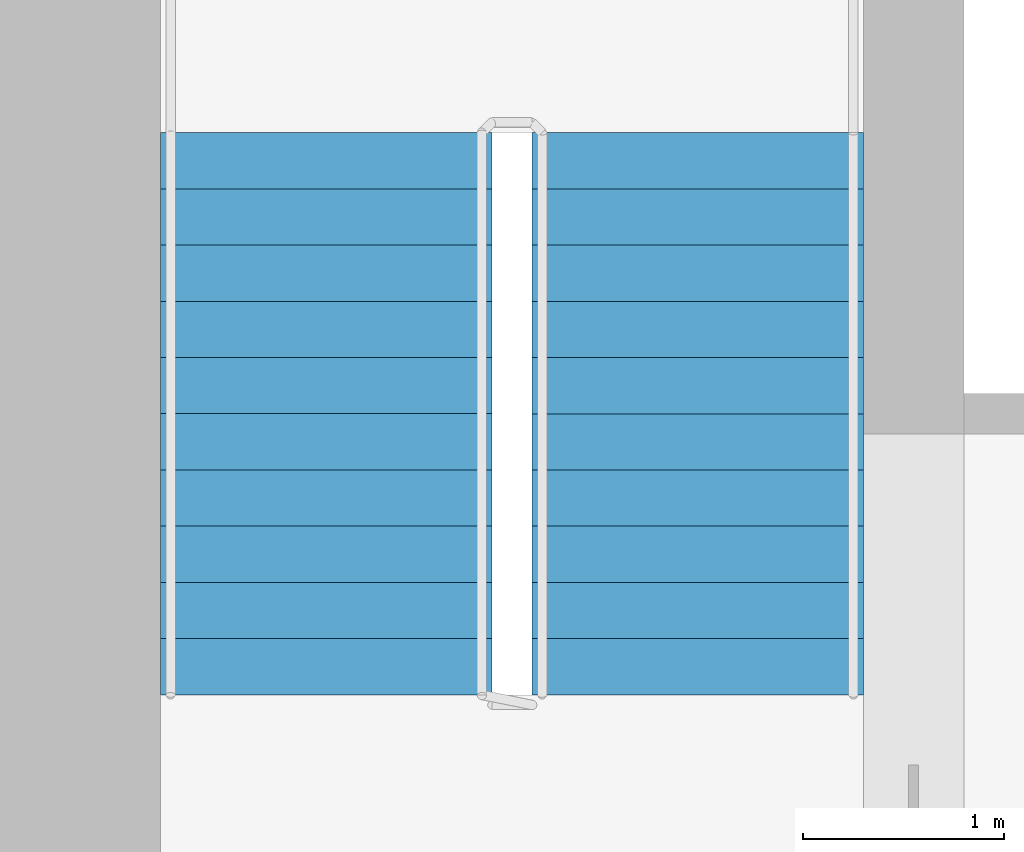
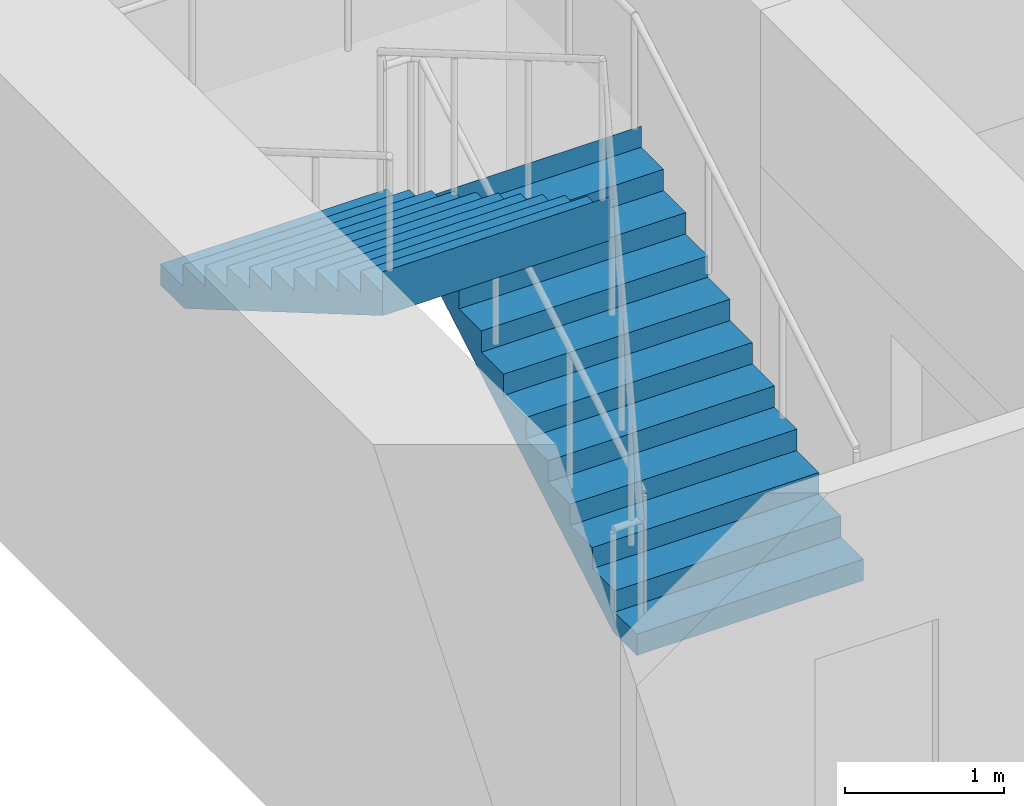
# One storey, part 13 of 14: 2 stair flights, 1 element without a shape of its own.
"""IFC4 building model written with IfcOpenShell, lengths in metres."""

from ifc_helpers import new_model, si_unit, direction, frame, origin, place, context, subcontext, project, spatial, polyline, outline, extrude, material, type_object, element, aggregate, save


model = new_model("IFC4")

# Units and contexts
model_context = context("Model", 3, precision=1e-05, world=origin(), true_north=direction((0.0, 1.0)))
body_context = subcontext(model_context, "Body", "Model", "MODEL_VIEW")
ifc_project = project(units=[si_unit("LENGTHUNIT", "METRE"), si_unit("AREAUNIT", "SQUARE_METRE"), si_unit("VOLUMEUNIT", "CUBIC_METRE"), si_unit("PLANEANGLEUNIT", "RADIAN"), si_unit("MASSUNIT", "GRAM", prefix="KILO")], contexts=[model_context])

# Site, building, storey
site_placement = place(None, origin())
site = spatial("IfcSite", under=ifc_project, at=site_placement, CompositionType="ELEMENT")
building_placement = place(site_placement, origin())
building = spatial("IfcBuilding", under=site, at=building_placement, Name="Tamorin Gate", CompositionType="ELEMENT")
storey_placement = place(building_placement, frame((0.0, 0.0, 44.800048828125)))
storey = spatial("IfcBuildingStorey", under=building, at=storey_placement, Name="L09", CompositionType="ELEMENT", Elevation=44.800048828125)

# Stair, stair flights
ifc_material = material(Name="Concrete C40/50", Category="concrete")
stair_type = type_object("IfcStairType", Name="Exit stair", PredefinedType="HALF_TURN_STAIR", material=ifc_material)
stair_placement = place(storey_placement, origin())
stair = element("IfcStair", 1, at=stair_placement, inside=storey, type_object=stair_type, Name="L09 stair ST2", PredefinedType="HALF_TURN_STAIR")
stair_flight_type = type_object("IfcStairFlightType", Name="Exit stair flight", PredefinedType="STRAIGHT", material=ifc_material)
stair_flight_1_placement = place(storey_placement, frame((33.675048828125, 77.0, 0.0), z_axis=(0.0, 0.0, 1.0), x_axis=(0.0, 1.0, 0.0)))
stair_flight_1 = element("IfcStairFlight", 2, at=stair_flight_1_placement, type_object=stair_flight_type, Name="ST2 flight 1", NumberOfRisers=11, NumberOfTreads=10, PredefinedType="STRAIGHT", RiserHeight=0.163636364, TreadLength=0.28, context=body_context, shape_type="SweptSolid", body=[
    extrude(outline(polyline([(-0.00048828125, 0.0), (-0.00048828125, 0.001708984375), (-0.00048828125, 0.003173828125), (-0.00048828125, 0.0048828125), (-0.00048828125, 0.006591796875), (-0.00048828125, 0.008056640625), (-0.00048828125, 0.009765625), (-0.00048828125, 0.01123046875), (-0.00048828125, 0.012939453125), (-0.00048828125, 0.0146484375), (-0.00048828125, 0.01611328125), (-0.00048828125, 0.017822265625), (-0.00048828125, 0.01953125), (-0.00048828125, 0.02099609375), (-0.00048828125, 0.022705078125), (-0.00048828125, 0.0244140625), (-0.00048828125, 0.02587890625), (-0.00048828125, 0.027587890625), (-0.00048828125, 0.029052734375), (-0.00048828125, 0.03076171875), (-0.00048828125, 0.032470703125), (-0.00048828125, 0.033935546875), (-0.00048828125, 0.03564453125), (-0.00048828125, 0.037353515625), (-0.00048828125, 0.038818359375), (-0.00048828125, 0.04052734375), (-0.00048828125, 0.042236328125), (-0.00048828125, 0.043701171875), (-0.00048828125, 0.04541015625), (-0.00048828125, 0.046875), (-0.00048828125, 0.048583984375), (-0.00048828125, 0.05029296875), (-0.00048828125, 0.0517578125), (-0.00048828125, 0.053466796875), (-0.00048828125, 0.05517578125), (-0.00048828125, 0.056640625), (-0.00048828125, 0.058349609375), (-0.00048828125, 0.06005859375), (-0.00048828125, 0.0615234375), (-0.00048828125, 0.063232421875), (-0.00048828125, 0.064697265625), (-0.00048828125, 0.06640625), (-0.00048828125, 0.068115234375), (-0.00048828125, 0.069580078125), (-0.00048828125, 0.0712890625), (-0.00048828125, 0.072998046875), (-0.00048828125, 0.074462890625), (-0.00048828125, 0.076171875), (-0.00048828125, 0.077880859375), (-0.00048828125, 0.079345703125), (-0.00048828125, 0.0810546875), (-0.00048828125, 0.08251953125), (-0.00048828125, 0.084228515625), (-0.00048828125, 0.0859375), (-0.00048828125, 0.08740234375), (-0.00048828125, 0.089111328125), (-0.00048828125, 0.0908203125), (-0.00048828125, 0.09228515625), (-0.00048828125, 0.093994140625), (-0.00048828125, 0.095703125), (-0.00048828125, 0.09716796875), (-0.00048828125, 0.098876953125), (-0.00048828125, 0.100341796875), (-0.00048828125, 0.10205078125), (-0.00048828125, 0.103759765625), (-0.00048828125, 0.105224609375), (-0.00048828125, 0.10693359375), (-0.00048828125, 0.108642578125), (-0.00048828125, 0.110107421875), (-0.00048828125, 0.11181640625), (-0.00048828125, 0.113525390625), (-0.00048828125, 0.114990234375), (-0.00048828125, 0.11669921875), (-0.00048828125, 0.1181640625), (-0.00048828125, 0.119873046875), (-0.00048828125, 0.12158203125), (-0.00048828125, 0.123046875), (-0.00048828125, 0.124755859375), (-0.00048828125, 0.12646484375), (-0.00048828125, 0.1279296875), (-0.00048828125, 0.129638671875), (-0.00048828125, 0.13134765625), (-0.00048828125, 0.1328125), (-0.00048828125, 0.134521484375), (-0.00048828125, 0.135986328125), (-0.00048828125, 0.1376953125), (-0.00048828125, 0.139404296875), (-0.00048828125, 0.140869140625), (-0.00048828125, 0.142578125), (-0.00048828125, 0.144287109375), (-0.00048828125, 0.145751953125), (-0.00048828125, 0.1474609375), (-0.00048828125, 0.149169921875), (-0.00048828125, 0.150634765625), (-0.00048828125, 0.15234375), (-0.00048828125, 0.15380859375), (-0.00048828125, 0.155517578125), (-0.00048828125, 0.1572265625), (-0.00048828125, 0.15869140625), (-0.00048828125, 0.160400390625), (-0.00048828125, 0.162109375), (-0.00048828125, 0.16357421875), (0.280029296875, 0.16357421875), (0.280029296875, 0.327392578125), (0.56005859375, 0.327392578125), (0.56005859375, 0.490966796875), (0.840087890625, 0.490966796875), (0.840087890625, 0.654541015625), (1.1201171875, 0.654541015625), (1.1201171875, 0.818115234375), (1.39990234375, 0.818115234375), (1.39990234375, 0.98193359375), (1.679931640625, 0.98193359375), (1.679931640625, 1.1455078125), (1.9599609375, 1.1455078125), (1.9599609375, 1.30908203125), (2.239990234375, 1.30908203125), (2.239990234375, 1.47265625), (2.52001953125, 1.47265625), (2.52001953125, 1.636474609375), (2.800048828125, 1.636474609375), (2.800048828125, 1.800048828125), (2.800537109375, 1.800048828125), (2.800537109375, 1.796630859375), (2.800537109375, 1.793212890625), (2.800537109375, 1.7900390625), (2.800537109375, 1.78662109375), (2.800537109375, 1.783203125), (2.800537109375, 1.780029296875), (2.800537109375, 1.776611328125), (2.800537109375, 1.773193359375), (2.800537109375, 1.77001953125), (2.800537109375, 1.7666015625), (2.800537109375, 1.76318359375), (2.800537109375, 1.760009765625), (2.800537109375, 1.756591796875), (2.800537109375, 1.753173828125), (2.800537109375, 1.75), (2.800537109375, 1.74658203125), (2.800537109375, 1.7431640625), (2.800537109375, 1.739990234375), (2.800537109375, 1.736572265625), (2.800537109375, 1.733154296875), (2.800537109375, 1.72998046875), (2.800537109375, 1.7265625), (2.800537109375, 1.72314453125), (2.800537109375, 1.719970703125), (2.800537109375, 1.716552734375), (2.800537109375, 1.713134765625), (2.800537109375, 1.7099609375), (2.800537109375, 1.70654296875), (2.800537109375, 1.703125), (2.800537109375, 1.69970703125), (2.800537109375, 1.696533203125), (2.800537109375, 1.693115234375), (2.800537109375, 1.689697265625), (2.800537109375, 1.6865234375), (2.800537109375, 1.68310546875), (2.800537109375, 1.6796875), (2.800537109375, 1.676513671875), (2.800537109375, 1.673095703125), (2.800537109375, 1.669677734375), (2.800537109375, 1.66650390625), (2.800537109375, 1.6630859375), (2.800537109375, 1.65966796875), (2.800537109375, 1.656494140625), (2.800537109375, 1.653076171875), (2.800537109375, 1.649658203125), (2.800537109375, 1.646484375), (2.800537109375, 1.64306640625), (2.800537109375, 1.6396484375), (2.800537109375, 1.636474609375), (2.800537109375, 1.633056640625), (2.800537109375, 1.629638671875), (2.800537109375, 1.62646484375), (2.800537109375, 1.623046875), (2.800537109375, 1.61962890625), (2.800537109375, 1.616455078125), (2.800537109375, 1.613037109375), (2.800537109375, 1.609619140625), (2.800537109375, 1.6064453125), (2.800537109375, 1.60302734375), (2.800537109375, 1.599609375), (2.800537109375, 1.59619140625), (2.800537109375, 1.593017578125), (2.800537109375, 1.589599609375), (2.800537109375, 1.586181640625), (2.800537109375, 1.5830078125), (2.800537109375, 1.57958984375), (2.800537109375, 1.576171875), (2.800537109375, 1.572998046875), (2.800537109375, 1.569580078125), (2.800537109375, 1.566162109375), (2.800537109375, 1.56298828125), (2.800537109375, 1.5595703125), (2.800537109375, 1.55615234375), (2.800537109375, 1.552978515625), (2.800537109375, 1.549560546875), (2.800537109375, 1.546142578125), (2.800537109375, 1.54296875), (2.800537109375, 1.53955078125), (2.800537109375, 1.5361328125), (2.800537109375, 1.532958984375), (2.800537109375, 1.529541015625), (2.800537109375, 1.526123046875), (2.800537109375, 1.52294921875), (2.800537109375, 1.51953125), (2.800537109375, 1.51611328125), (2.800537109375, 1.512939453125), (2.800537109375, 1.509521484375), (2.800537109375, 1.506103515625), (2.800537109375, 1.5029296875), (2.800537109375, 1.49951171875), (2.800537109375, 1.49609375), (2.800537109375, 1.49267578125), (2.800537109375, 1.489501953125), (2.800537109375, 1.486083984375), (2.800537109375, 1.482666015625), (2.800537109375, 1.4794921875), (2.800537109375, 1.47607421875), (2.800537109375, 1.47265625), (2.800537109375, 1.469482421875), (2.800537109375, 1.466064453125), (2.800537109375, 1.462646484375), (2.800048828125, 1.462646484375), (0.297119140625, 0.0), (-0.00048828125, 0.0)])), frame((0.0, 0.824951171875, 0.0), z_axis=(0.0, -1.0, 0.0), x_axis=(1.0, 0.0, 0.0)), (0.0, 0.0, 1.0), 1.64990234375),
])
stair_flight_2_placement = place(storey_placement, frame((31.824951171875, 79.800048828125, 1.800048828125), z_axis=(0.0, 0.0, 1.0), x_axis=(0.0, -1.0, 0.0)))
stair_flight_2 = element("IfcStairFlight", 3, at=stair_flight_2_placement, type_object=stair_flight_type, Name="ST2 flight 2", NumberOfRisers=11, NumberOfTreads=10, PredefinedType="STRAIGHT", RiserHeight=0.163636364, TreadLength=0.28, context=body_context, shape_type="SweptSolid", body=[
    extrude(outline(polyline([(-0.00048828125, 0.0), (-0.00048828125, 0.001708984375), (-0.00048828125, 0.003173828125), (-0.00048828125, 0.0048828125), (-0.00048828125, 0.006591796875), (-0.00048828125, 0.008056640625), (-0.00048828125, 0.009765625), (-0.00048828125, 0.01123046875), (-0.00048828125, 0.012939453125), (-0.00048828125, 0.0146484375), (-0.00048828125, 0.01611328125), (-0.00048828125, 0.017822265625), (-0.00048828125, 0.01953125), (-0.00048828125, 0.02099609375), (-0.00048828125, 0.022705078125), (-0.00048828125, 0.0244140625), (-0.00048828125, 0.02587890625), (-0.00048828125, 0.027587890625), (-0.00048828125, 0.029052734375), (-0.00048828125, 0.03076171875), (-0.00048828125, 0.032470703125), (-0.00048828125, 0.033935546875), (-0.00048828125, 0.03564453125), (-0.00048828125, 0.037353515625), (-0.00048828125, 0.038818359375), (-0.00048828125, 0.04052734375), (-0.00048828125, 0.042236328125), (-0.00048828125, 0.043701171875), (-0.00048828125, 0.04541015625), (-0.00048828125, 0.046875), (-0.00048828125, 0.048583984375), (-0.00048828125, 0.05029296875), (-0.00048828125, 0.0517578125), (-0.00048828125, 0.053466796875), (-0.00048828125, 0.05517578125), (-0.00048828125, 0.056640625), (-0.00048828125, 0.058349609375), (-0.00048828125, 0.06005859375), (-0.00048828125, 0.0615234375), (-0.00048828125, 0.063232421875), (-0.00048828125, 0.064697265625), (-0.00048828125, 0.06640625), (-0.00048828125, 0.068115234375), (-0.00048828125, 0.069580078125), (-0.00048828125, 0.0712890625), (-0.00048828125, 0.072998046875), (-0.00048828125, 0.074462890625), (-0.00048828125, 0.076171875), (-0.00048828125, 0.077880859375), (-0.00048828125, 0.079345703125), (-0.00048828125, 0.0810546875), (-0.00048828125, 0.08251953125), (-0.00048828125, 0.084228515625), (-0.00048828125, 0.0859375), (-0.00048828125, 0.08740234375), (-0.00048828125, 0.089111328125), (-0.00048828125, 0.0908203125), (-0.00048828125, 0.09228515625), (-0.00048828125, 0.093994140625), (-0.00048828125, 0.095703125), (-0.00048828125, 0.09716796875), (-0.00048828125, 0.098876953125), (-0.00048828125, 0.100341796875), (-0.00048828125, 0.10205078125), (-0.00048828125, 0.103759765625), (-0.00048828125, 0.105224609375), (-0.00048828125, 0.10693359375), (-0.00048828125, 0.108642578125), (-0.00048828125, 0.110107421875), (-0.00048828125, 0.11181640625), (-0.00048828125, 0.113525390625), (-0.00048828125, 0.114990234375), (-0.00048828125, 0.11669921875), (-0.00048828125, 0.1181640625), (-0.00048828125, 0.119873046875), (-0.00048828125, 0.12158203125), (-0.00048828125, 0.123046875), (-0.00048828125, 0.124755859375), (-0.00048828125, 0.12646484375), (-0.00048828125, 0.1279296875), (-0.00048828125, 0.129638671875), (-0.00048828125, 0.13134765625), (-0.00048828125, 0.1328125), (-0.00048828125, 0.134521484375), (-0.00048828125, 0.135986328125), (-0.00048828125, 0.1376953125), (-0.00048828125, 0.139404296875), (-0.00048828125, 0.140869140625), (-0.00048828125, 0.142578125), (-0.00048828125, 0.144287109375), (-0.00048828125, 0.145751953125), (-0.00048828125, 0.1474609375), (-0.00048828125, 0.149169921875), (-0.00048828125, 0.150634765625), (-0.00048828125, 0.15234375), (-0.00048828125, 0.15380859375), (-0.00048828125, 0.155517578125), (-0.00048828125, 0.1572265625), (-0.00048828125, 0.15869140625), (-0.00048828125, 0.160400390625), (-0.00048828125, 0.162109375), (-0.00048828125, 0.16357421875), (0.280029296875, 0.16357421875), (0.280029296875, 0.327392578125), (0.56005859375, 0.327392578125), (0.56005859375, 0.490966796875), (0.840087890625, 0.490966796875), (0.840087890625, 0.654541015625), (1.1201171875, 0.654541015625), (1.1201171875, 0.818115234375), (1.39990234375, 0.818115234375), (1.39990234375, 0.98193359375), (1.679931640625, 0.98193359375), (1.679931640625, 1.1455078125), (1.9599609375, 1.1455078125), (1.9599609375, 1.30908203125), (2.239990234375, 1.30908203125), (2.239990234375, 1.47265625), (2.52001953125, 1.47265625), (2.52001953125, 1.636474609375), (2.800048828125, 1.636474609375), (2.800048828125, 1.800048828125), (2.800537109375, 1.800048828125), (2.800537109375, 1.796630859375), (2.800537109375, 1.793212890625), (2.800537109375, 1.7900390625), (2.800537109375, 1.78662109375), (2.800537109375, 1.783203125), (2.800537109375, 1.780029296875), (2.800537109375, 1.776611328125), (2.800537109375, 1.773193359375), (2.800537109375, 1.77001953125), (2.800537109375, 1.7666015625), (2.800537109375, 1.76318359375), (2.800537109375, 1.760009765625), (2.800537109375, 1.756591796875), (2.800537109375, 1.753173828125), (2.800537109375, 1.75), (2.800537109375, 1.74658203125), (2.800537109375, 1.7431640625), (2.800537109375, 1.739990234375), (2.800537109375, 1.736572265625), (2.800537109375, 1.733154296875), (2.800537109375, 1.72998046875), (2.800537109375, 1.7265625), (2.800537109375, 1.72314453125), (2.800537109375, 1.719970703125), (2.800537109375, 1.716552734375), (2.800537109375, 1.713134765625), (2.800537109375, 1.7099609375), (2.800537109375, 1.70654296875), (2.800537109375, 1.703125), (2.800537109375, 1.69970703125), (2.800537109375, 1.696533203125), (2.800537109375, 1.693115234375), (2.800537109375, 1.689697265625), (2.800537109375, 1.6865234375), (2.800537109375, 1.68310546875), (2.800537109375, 1.6796875), (2.800537109375, 1.676513671875), (2.800537109375, 1.673095703125), (2.800537109375, 1.669677734375), (2.800537109375, 1.66650390625), (2.800537109375, 1.6630859375), (2.800537109375, 1.65966796875), (2.800537109375, 1.656494140625), (2.800537109375, 1.653076171875), (2.800537109375, 1.649658203125), (2.800537109375, 1.646484375), (2.800537109375, 1.64306640625), (2.800537109375, 1.6396484375), (2.800537109375, 1.636474609375), (2.800537109375, 1.633056640625), (2.800537109375, 1.629638671875), (2.800537109375, 1.62646484375), (2.800537109375, 1.623046875), (2.800537109375, 1.61962890625), (2.800537109375, 1.616455078125), (2.800537109375, 1.613037109375), (2.800537109375, 1.609619140625), (2.800537109375, 1.6064453125), (2.800537109375, 1.60302734375), (2.800537109375, 1.599609375), (2.800537109375, 1.59619140625), (2.800537109375, 1.593017578125), (2.800537109375, 1.589599609375), (2.800537109375, 1.586181640625), (2.800537109375, 1.5830078125), (2.800537109375, 1.57958984375), (2.800537109375, 1.576171875), (2.800537109375, 1.572998046875), (2.800537109375, 1.569580078125), (2.800537109375, 1.566162109375), (2.800537109375, 1.56298828125), (2.800537109375, 1.5595703125), (2.800537109375, 1.55615234375), (2.800537109375, 1.552978515625), (2.800537109375, 1.549560546875), (2.800537109375, 1.546142578125), (2.800537109375, 1.54296875), (2.800537109375, 1.53955078125), (2.800537109375, 1.5361328125), (2.800537109375, 1.532958984375), (2.800537109375, 1.529541015625), (2.800537109375, 1.526123046875), (2.800537109375, 1.52294921875), (2.800537109375, 1.51953125), (2.800537109375, 1.51611328125), (2.800537109375, 1.512939453125), (2.800537109375, 1.509521484375), (2.800537109375, 1.506103515625), (2.800537109375, 1.5029296875), (2.800537109375, 1.49951171875), (2.800537109375, 1.49609375), (2.800537109375, 1.49267578125), (2.800537109375, 1.489501953125), (2.800537109375, 1.486083984375), (2.800537109375, 1.482666015625), (2.800537109375, 1.4794921875), (2.800537109375, 1.47607421875), (2.800537109375, 1.47265625), (2.800537109375, 1.469482421875), (2.800537109375, 1.466064453125), (2.800537109375, 1.462646484375), (2.800048828125, 1.462646484375), (0.297119140625, 0.0), (-0.00048828125, 0.0)])), frame((0.0, 0.824951171875, 0.0), z_axis=(0.0, -1.0, 0.0), x_axis=(1.0, 0.0, 0.0)), (0.0, 0.0, 1.0), 1.64990234375),
])
aggregate(stair, [stair_flight_1, stair_flight_2])

save(model, "model.ifc")
